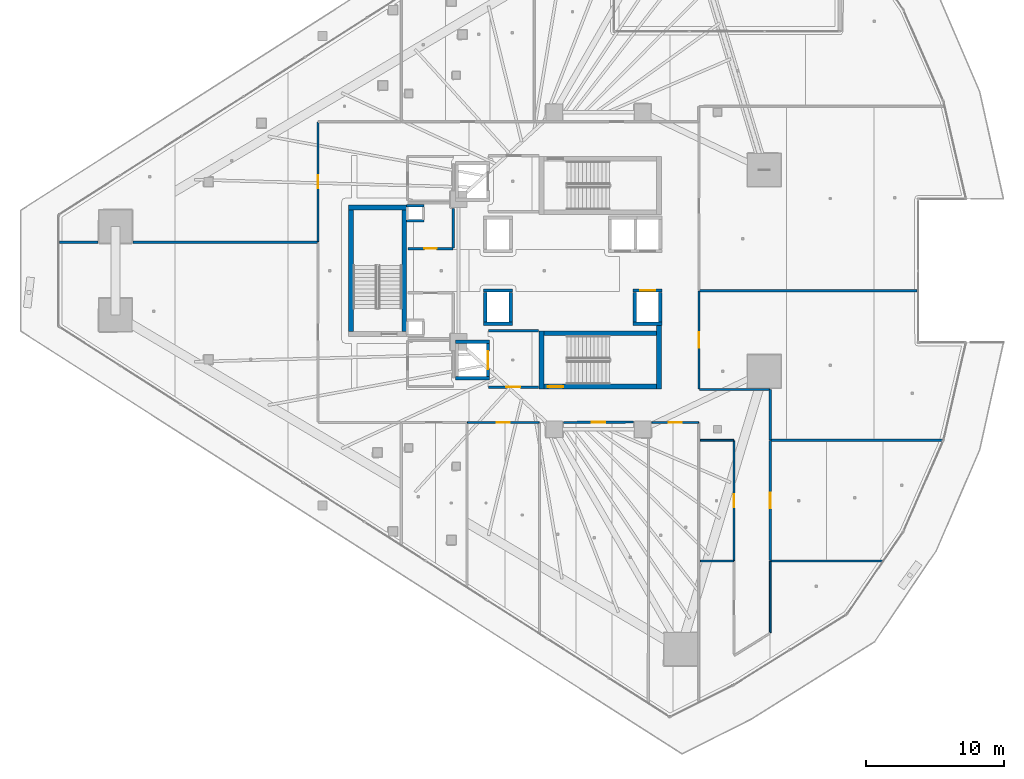
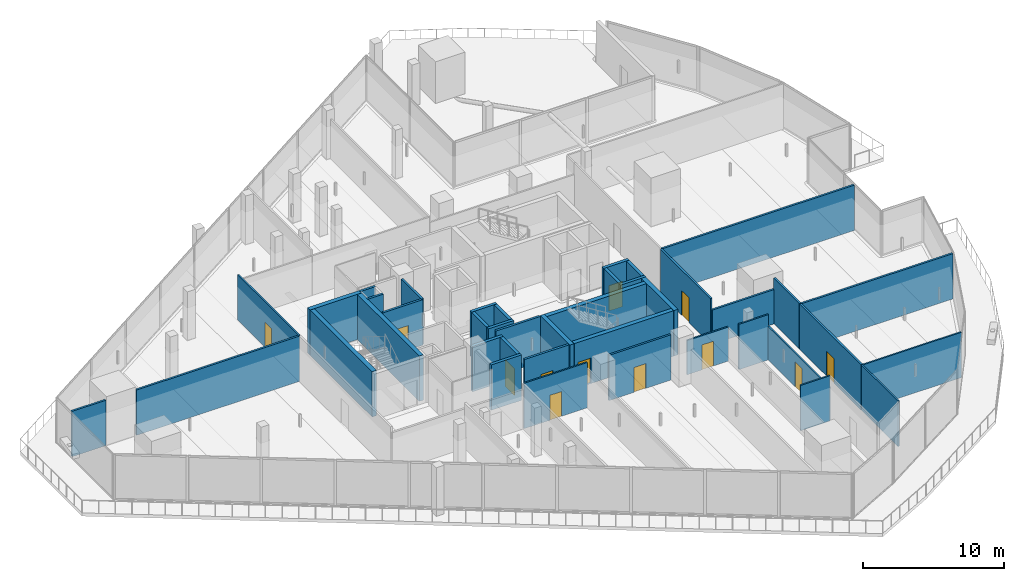
# One storey, part 29 of 44: 41 walls, 12 doors, 12 openings.
"""IFC4 building model written with IfcOpenShell, lengths in metres."""

from ifc_helpers import new_model, si_unit, direction, frame, frame_2d, origin, place, context, subcontext, project, spatial, rectangle, extrude, material, layer, layer_set, type_object, element, fill, save


model = new_model("IFC4")

# Units and contexts
model_context = context("Model", 3, precision=1e-05, world=origin(), true_north=direction((0.0, 1.0)))
body_context = subcontext(model_context, "Body", "Model", "MODEL_VIEW")
ifc_project = project(units=[si_unit("LENGTHUNIT", "METRE"), si_unit("AREAUNIT", "SQUARE_METRE"), si_unit("VOLUMEUNIT", "CUBIC_METRE"), si_unit("PLANEANGLEUNIT", "RADIAN"), si_unit("MASSUNIT", "GRAM", prefix="KILO")], contexts=[model_context])

# Site, building, storey
site_placement = place(None, origin())
site = spatial("IfcSite", under=ifc_project, at=site_placement, CompositionType="ELEMENT")
building_placement = place(site_placement, origin())
building = spatial("IfcBuilding", under=site, at=building_placement, Name="Qorvath Tower", CompositionType="ELEMENT")
storey_placement = place(building_placement, frame((0.0, 0.0, 78.60009765625)))
storey = spatial("IfcBuildingStorey", under=building, at=storey_placement, Name="L17", CompositionType="ELEMENT", Elevation=78.60009765625)

# Walls
ifc_material_1 = material(Name="Gypsum shaftliner on steel studs", Category="steel")
ifc_layer_1 = layer(ifc_material_1, 0.179931640625)
ifc_layer_set_1 = layer_set([ifc_layer_1], Name="FW-LOBBY")
wall_type_1 = type_object("IfcWallType", Name="FW-LOBBY", PredefinedType="PARTITIONING", material=ifc_layer_set_1)
for number, where, z_axis, x_axis, name in (
    (1, (-32.989990234375, 3.594970703125, 0.0), (0.0, 0.0, 1.0), (-1.0, 0.0, 0.0), "MEP Riser Shaft Enclosure Wall N-L17-S"),
    (2, (-34.260009765625, 4.675048828125, 0.0), (0.0, 0.0, 1.0), (1.0, 0.0, 0.0), "MEP Riser Shaft Enclosure Wall N-L17-N"),
):
    element("IfcWall", number, at=place(storey_placement, frame(where, z_axis=z_axis, x_axis=x_axis)), inside=storey, type_object=wall_type_1, Name=name, PredefinedType="PARTITIONING", context=body_context, shape_type="SweptSolid", body=[
        extrude(rectangle(XDim=1.27001953125, YDim=0.179931640625, at=frame_2d((0.635009765625, 0.0))), origin(), (0.0, 0.0, 1.0), 3.919921875),
    ])

# Wall, opening, door
wall_1_placement = place(storey_placement, frame((-28.35498046875, -8.39990234375, 0.0), z_axis=(0.0, 0.0, 1.0), x_axis=(1.0, 0.0, 0.0)))
wall_1 = element("IfcWall", 3, at=wall_1_placement, inside=storey, type_object=wall_type_1, Name="Interior Partition IW-T1-L17-003", PredefinedType="PARTITIONING", context=body_context, shape_type="SweptSolid", body=[
    extrude(rectangle(XDim=3.6220703125, YDim=0.179931640625, at=frame_2d((1.81103515625, 0.0))), origin(), (0.0, 0.0, 1.0), 3.919921875),
])
opening_1_placement = place(wall_1_placement, frame((1.31103515625, 0.0, 0.0)))
opening_1 = element("IfcOpeningElement", 4, at=opening_1_placement, cuts=wall_1, Name="Opening D-T1-L17-19", PredefinedType="OPENING", context=body_context, shape_type="SweptSolid", body=[
    extrude(rectangle(XDim=1.0, YDim=2.14990234375, at=frame_2d((0.5, 1.074951171875))), frame((0.0, 0.10009765625, 0.0), z_axis=(0.0, -1.0, 0.0), x_axis=(1.0, 0.0, 0.0)), (0.0, 0.0, 1.0), 0.199951171875),
])
ifc_material_2 = material(Name="Painted galvanised hollow metal", Category="steel")
door_type_1 = type_object("IfcDoorType", Name="FD-60", OperationType="NOTDEFINED", PredefinedType="DOOR", material=ifc_material_2)
door_1_placement = place(opening_1_placement, origin())
door_1 = element("IfcDoor", 5, at=door_1_placement, inside=storey, type_object=door_type_1, Name="Lobby Fire Service Elevator South Door D-T1-L17-19", OperationType="SINGLE_SWING_LEFT", OverallHeight=2.14990234375, OverallWidth=1.0, PredefinedType="DOOR", context=body_context, shape_type="SweptSolid", body=[
    extrude(rectangle(XDim=1.0, YDim=2.14990234375, at=frame_2d((0.5, 1.074951171875))), frame((0.0, 0.02490234375, 0.0), z_axis=(0.0, -1.0, 0.0), x_axis=(1.0, 0.0, 0.0)), (0.0, 0.0, 1.0), 0.050048828125),
])
fill(opening_1, door_1)

# Wall
wall_2_placement = place(storey_placement, frame((-24.73291015625, -4.35009765625, 0.0), z_axis=(0.0, 0.0, 1.0), x_axis=(-1.0, 0.0, 0.0)))
element("IfcWall", 6, at=wall_2_placement, inside=storey, type_object=wall_type_1, Name="Interior Partition IW-T1-L17-004", PredefinedType="PARTITIONING", context=body_context, shape_type="SweptSolid", body=[
    extrude(rectangle(XDim=3.6220703125, YDim=0.179931640625, at=frame_2d((1.81103515625, 0.0))), origin(), (0.0, 0.0, 1.0), 3.919921875),
])

# Wall, opening, door
wall_3_placement = place(storey_placement, frame((-34.15478515625, 1.60009765625, 0.0), z_axis=(0.0, 0.0, 1.0), x_axis=(1.0, 0.0, 0.0)))
wall_3 = element("IfcWall", 7, at=wall_3_placement, inside=storey, type_object=wall_type_1, Name="Interior Partition IW-T1-L17-013", PredefinedType="PARTITIONING", context=body_context, shape_type="SweptSolid", body=[
    extrude(rectangle(XDim=3.25, YDim=0.179931640625, at=frame_2d((1.625, 0.0))), origin(), (0.0, 0.0, 1.0), 3.919921875),
])
opening_2_placement = place(wall_3_placement, frame((1.18505859375, 0.0, 0.0)))
opening_2 = element("IfcOpeningElement", 8, at=opening_2_placement, cuts=wall_3, Name="Opening D-T1-L17-03", PredefinedType="OPENING", context=body_context, shape_type="SweptSolid", body=[
    extrude(rectangle(XDim=0.8798828125, YDim=2.10009765625, at=frame_2d((0.43994140625, 1.050048828125))), frame((0.0, 0.10009765625, 0.0), z_axis=(0.0, -1.0, 0.0), x_axis=(1.0, 0.0, 0.0)), (0.0, 0.0, 1.0), 0.199951171875),
])
ifc_material_3 = material(Name="Painted galvanised hollow metal", Category="steel")
door_type_2 = type_object("IfcDoorType", Name="FD-60N", OperationType="NOTDEFINED", PredefinedType="DOOR", material=ifc_material_3)
door_2_placement = place(opening_2_placement, origin())
door_2 = element("IfcDoor", 9, at=door_2_placement, inside=storey, type_object=door_type_2, Name="Core cleaner and custodial room L17 Door D-T1-L17-03", OperationType="SINGLE_SWING_LEFT", OverallHeight=2.10009765625, OverallWidth=0.8798828125, PredefinedType="DOOR", context=body_context, shape_type="SweptSolid", body=[
    extrude(rectangle(XDim=0.8798828125, YDim=2.10009765625, at=frame_2d((0.43994140625, 1.050048828125))), frame((0.0, 0.02490234375, 0.0), z_axis=(0.0, -1.0, 0.0), x_axis=(1.0, 0.0, 0.0)), (0.0, 0.0, 1.0), 0.050048828125),
])
fill(opening_2, door_2)

# Wall
wall_4_placement = place(storey_placement, frame((-30.8798828125, 1.625, 0.0), z_axis=(0.0, 0.0, 1.0), x_axis=(0.0, 1.0, 0.0)))
element("IfcWall", 10, at=wall_4_placement, inside=storey, type_object=wall_type_1, Name="Interior Partition IW-T1-L17-014", PredefinedType="PARTITIONING", context=body_context, shape_type="SweptSolid", body=[
    extrude(rectangle(XDim=2.860107421875, YDim=0.179931640625, at=frame_2d((1.43017578125, 0.0))), origin(), (0.0, 0.0, 1.0), 3.919921875),
])

# Wall, opening, door
ifc_material_4 = material(Name="Double acoustic gypsum board on steel studs", Category="steel")
ifc_layer_2 = layer(ifc_material_4, 0.159912109375)
ifc_layer_set_2 = layer_set([ifc_layer_2], Name="IW-ACOUSTIC-160")
wall_type_2 = type_object("IfcWallType", Name="IW-ACOUSTIC-160", PredefinedType="PARTITIONING", material=ifc_layer_set_2)
wall_5_placement = place(storey_placement, frame((-17.864990234375, -10.935302734375, 0.0), z_axis=(0.0, 0.0, 1.0), x_axis=(-0.999990187227, -0.004430061984, 0.0)))
wall_5 = element("IfcWall", 11, at=wall_5_placement, inside=storey, type_object=wall_type_2, Name="Interior Partition IW-T1-L17-030", PredefinedType="PARTITIONING", context=body_context, shape_type="SweptSolid", body=[
    extrude(rectangle(XDim=5.070068359375, YDim=0.159912109375, at=frame_2d((2.53515625, 0.0))), origin(), (0.0, 0.0, 1.0), 3.919921875),
])
opening_3_placement = place(wall_5_placement, frame((2.06005859375, 0.0, 0.0)))
opening_3 = element("IfcOpeningElement", 12, at=opening_3_placement, cuts=wall_5, Name="Opening D-T1-L17-09", PredefinedType="OPENING", context=body_context, shape_type="SweptSolid", body=[
    extrude(rectangle(XDim=0.949951171875, YDim=2.14990234375, at=frame_2d((0.47509765625, 1.074951171875))), frame((0.0, 0.08984375, 0.0), z_axis=(0.0, -1.0, 0.0), x_axis=(1.0, 0.0, 0.0)), (0.0, 0.0, 1.0), 0.179931640625),
])
ifc_material_5 = material(Name="Solid-core American white oak veneer", Category="wood")
door_type_3 = type_object("IfcDoorType", Name="D-01", OperationType="NOTDEFINED", PredefinedType="DOOR", material=ifc_material_5)
door_3_placement = place(opening_3_placement, origin())
door_3 = element("IfcDoor", 13, at=door_3_placement, inside=storey, type_object=door_type_3, Name="L17-05 Staff Wellness Studio Door D-T1-L17-09", OperationType="SINGLE_SWING_LEFT", OverallHeight=2.14990234375, OverallWidth=0.949951171875, PredefinedType="DOOR", context=body_context, shape_type="SweptSolid", body=[
    extrude(rectangle(XDim=0.949951171875, YDim=2.14990234375, at=frame_2d((0.47509765625, 1.074951171875))), frame((0.0, 0.02490234375, 0.0), z_axis=(0.0, -1.0, 0.0), x_axis=(1.0, 0.0, 0.0)), (0.0, 0.0, 1.0), 0.050048828125),
])
fill(opening_3, door_3)

# Wall
wall_6_placement = place(storey_placement, frame((4.4375, -12.249267578125, 0.0), z_axis=(0.0, 0.0, 1.0), x_axis=(-1.0, 0.0, 0.0)))
element("IfcWall", 14, at=wall_6_placement, inside=storey, type_object=wall_type_2, Name="Interior Partition IW-T1-L17-039", PredefinedType="PARTITIONING", context=body_context, shape_type="SweptSolid", body=[
    extrude(rectangle(XDim=12.404296875, YDim=0.159912109375, at=frame_2d((6.2021484375, 0.0))), origin(), (0.0, 0.0, 1.0), 3.919921875),
])

# Wall, opening, door
wall_7_placement = place(storey_placement, frame((-7.991943359375, -12.2744140625, 0.0), z_axis=(0.0, 0.0, 1.0), x_axis=(0.0, -1.0, 0.0)))
wall_7 = element("IfcWall", 15, at=wall_7_placement, inside=storey, type_object=wall_type_2, Name="Interior Partition IW-T1-L17-040", PredefinedType="PARTITIONING", context=body_context, shape_type="SweptSolid", body=[
    extrude(rectangle(XDim=8.658447265625, YDim=0.159912109375, at=frame_2d((4.3291015625, 0.0))), origin(), (0.0, 0.0, 1.0), 3.919921875),
])
opening_4_placement = place(wall_7_placement, frame((3.779296875, 0.0, 0.0)))
opening_4 = element("IfcOpeningElement", 16, at=opening_4_placement, cuts=wall_7, Name="Opening D-T1-L17-12", PredefinedType="OPENING", context=body_context, shape_type="SweptSolid", body=[
    extrude(rectangle(XDim=1.10009765625, YDim=2.14990234375, at=frame_2d((0.550048828125, 1.074951171875))), frame((0.0, 0.08984375, 0.0), z_axis=(0.0, -1.0, 0.0), x_axis=(1.0, 0.0, 0.0)), (0.0, 0.0, 1.0), 0.179931640625),
])
ifc_material_6 = material(Name="Anodised aluminium acoustic framed glass", Category="aluminium")
door_type_4 = type_object("IfcDoorType", Name="D-03", OperationType="NOTDEFINED", PredefinedType="DOOR", material=ifc_material_6)
door_4_placement = place(opening_4_placement, origin())
door_4 = element("IfcDoor", 17, at=door_4_placement, inside=storey, type_object=door_type_4, Name="L17-08 Digital Visualization Suite Door D-T1-L17-12", OperationType="SINGLE_SWING_RIGHT", OverallHeight=2.14990234375, OverallWidth=1.10009765625, PredefinedType="DOOR", context=body_context, shape_type="SweptSolid", body=[
    extrude(rectangle(XDim=1.10009765625, YDim=2.14990234375, at=frame_2d((0.550048828125, 1.074951171875))), frame((0.0, 0.02490234375, 0.0), z_axis=(0.0, -1.0, 0.0), x_axis=(1.0, 0.0, 0.0)), (0.0, 0.0, 1.0), 0.050048828125),
])
fill(opening_4, door_4)

# Wall
wall_8_placement = place(storey_placement, frame((2.61572265625, -1.44140625, 0.0), z_axis=(0.0, 0.0, 1.0), x_axis=(-1.0, 0.0, 0.0)))
element("IfcWall", 18, at=wall_8_placement, inside=storey, type_object=wall_type_2, Name="Interior Partition IW-T1-L17-043", PredefinedType="PARTITIONING", context=body_context, shape_type="SweptSolid", body=[
    extrude(rectangle(XDim=15.73291015625, YDim=0.159912109375, at=frame_2d((7.866455078125, 0.0))), origin(), (0.0, 0.0, 1.0), 3.919921875),
])

# Wall, opening, door
wall_9_placement = place(storey_placement, frame((-13.14208984375, -1.46630859375, 0.0), z_axis=(0.0, 0.0, 1.0), x_axis=(0.0, -1.0, 0.0)))
wall_9 = element("IfcWall", 19, at=wall_9_placement, inside=storey, type_object=wall_type_2, Name="Interior Partition IW-T1-L17-044", PredefinedType="PARTITIONING", context=body_context, shape_type="SweptSolid", body=[
    extrude(rectangle(XDim=7.080810546875, YDim=0.159912109375, at=frame_2d((3.54052734375, 0.0))), origin(), (0.0, 0.0, 1.0), 3.919921875),
])
opening_5_placement = place(wall_9_placement, frame((2.990478515625, 0.0, 0.0)))
opening_5 = element("IfcOpeningElement", 20, at=opening_5_placement, cuts=wall_9, Name="Opening D-T1-L17-14", PredefinedType="OPENING", context=body_context, shape_type="SweptSolid", body=[
    extrude(rectangle(XDim=1.10009765625, YDim=2.14990234375, at=frame_2d((0.550048828125, 1.074951171875))), frame((0.0, 0.08984375, 0.0), z_axis=(0.0, -1.0, 0.0), x_axis=(1.0, 0.0, 0.0)), (0.0, 0.0, 1.0), 0.179931640625),
])
door_5_placement = place(opening_5_placement, origin())
door_5 = element("IfcDoor", 21, at=door_5_placement, inside=storey, type_object=door_type_4, Name="L17-10 Team Project Office Door D-T1-L17-14", OperationType="SINGLE_SWING_RIGHT", OverallHeight=2.14990234375, OverallWidth=1.10009765625, PredefinedType="DOOR", context=body_context, shape_type="SweptSolid", body=[
    extrude(rectangle(XDim=1.10009765625, YDim=2.14990234375, at=frame_2d((0.550048828125, 1.074951171875))), frame((0.0, 0.02490234375, 0.0), z_axis=(0.0, -1.0, 0.0), x_axis=(1.0, 0.0, 0.0)), (0.0, 0.0, 1.0), 0.050048828125),
])
fill(opening_5, door_5)

# Walls
wall_10_placement = place(storey_placement, frame((-13.1171875, -8.572021484375, 0.0), z_axis=(0.0, 0.0, 1.0), x_axis=(1.0, 0.0, 0.0)))
element("IfcWall", 22, at=wall_10_placement, inside=storey, type_object=wall_type_2, Name="Interior Partition IW-T1-L17-045", PredefinedType="PARTITIONING", context=body_context, shape_type="SweptSolid", body=[
    extrude(rectangle(XDim=5.100341796875, YDim=0.159912109375, at=frame_2d((2.55029296875, 0.0))), origin(), (0.0, 0.0, 1.0), 2.956787109375),
])
wall_11_placement = place(storey_placement, frame((-7.991943359375, -8.596923828125, 0.0), z_axis=(0.0, 0.0, 1.0), x_axis=(0.0, -1.0, 0.0)))
element("IfcWall", 23, at=wall_11_placement, inside=storey, type_object=wall_type_2, Name="Interior Partition IW-T1-L17-046", PredefinedType="PARTITIONING", context=body_context, shape_type="SweptSolid", body=[
    extrude(rectangle(XDim=3.619384765625, YDim=0.159912109375, at=frame_2d((1.8095703125, 0.0))), origin(), (0.0, 0.0, 1.0), 3.919921875),
])
wall_12_placement = place(storey_placement, frame((-40.68310546875, 2.06201171875, 0.0), z_axis=(0.0, 0.0, 1.0), x_axis=(-1.0, 0.0, 0.0)))
element("IfcWall", 24, at=wall_12_placement, inside=storey, type_object=wall_type_2, Name="Interior Partition IW-T1-L17-050", PredefinedType="PARTITIONING", context=body_context, shape_type="SweptSolid", body=[
    extrude(rectangle(XDim=13.334716796875, YDim=0.159912109375, at=frame_2d((6.66748046875, 0.0))), origin(), (0.0, 0.0, 1.0), 3.919921875),
])
wall_13_placement = place(storey_placement, frame((-56.5478515625, 2.06201171875, 0.0), z_axis=(0.0, 0.0, 1.0), x_axis=(-1.0, 0.0, 0.0)))
element("IfcWall", 25, at=wall_13_placement, inside=storey, type_object=wall_type_2, Name="Interior Partition IW-T1-L17-051", PredefinedType="PARTITIONING", context=body_context, shape_type="SweptSolid", body=[
    extrude(rectangle(XDim=2.767822265625, YDim=0.159912109375, at=frame_2d((1.3837890625, 0.0))), origin(), (0.0, 0.0, 1.0), 3.919921875),
])

# Wall, opening, door
ifc_material_7 = material(Name="Gypsum board on metal studs with mineral wool", Category="gypsum")
ifc_layer_3 = layer(ifc_material_7, 0.125)
ifc_layer_set_3 = layer_set([ifc_layer_3], Name="IW-PART-125")
wall_type_3 = type_object("IfcWallType", Name="IW-PART-125", PredefinedType="PARTITIONING", material=ifc_layer_set_3)
wall_14_placement = place(storey_placement, frame((-24.691650390625, -10.9580078125, 0.0), z_axis=(0.0, 0.0, 1.0), x_axis=(-1.0, 0.0, 0.0)))
wall_14 = element("IfcWall", 26, at=wall_14_placement, inside=storey, type_object=wall_type_3, Name="Interior Partition IW-T1-L17-029", PredefinedType="PARTITIONING", context=body_context, shape_type="SweptSolid", body=[
    extrude(rectangle(XDim=5.171630859375, YDim=0.125, at=frame_2d((2.5859375, 0.0))), origin(), (0.0, 0.0, 1.0), 3.919921875),
])
opening_6_placement = place(wall_14_placement, frame((2.11083984375, 0.0, 0.0)))
opening_6 = element("IfcOpeningElement", 27, at=opening_6_placement, cuts=wall_14, Name="Opening D-T1-L17-08", PredefinedType="OPENING", context=body_context, shape_type="SweptSolid", body=[
    extrude(rectangle(XDim=0.949951171875, YDim=2.14990234375, at=frame_2d((0.47509765625, 1.074951171875))), frame((0.0, 0.072509765625, 0.0), z_axis=(0.0, -1.0, 0.0), x_axis=(1.0, 0.0, 0.0)), (0.0, 0.0, 1.0), 0.14501953125),
])
door_6_placement = place(opening_6_placement, origin())
door_6 = element("IfcDoor", 28, at=door_6_placement, inside=storey, type_object=door_type_3, Name="L17-04 Project Collaboration Workspace Door D-T1-L17-08", OperationType="SINGLE_SWING_RIGHT", OverallHeight=2.14990234375, OverallWidth=0.949951171875, PredefinedType="DOOR", context=body_context, shape_type="SweptSolid", body=[
    extrude(rectangle(XDim=0.949951171875, YDim=2.14990234375, at=frame_2d((0.47509765625, 1.074951171875))), frame((0.0, 0.02490234375, 0.0), z_axis=(0.0, -1.0, 0.0), x_axis=(1.0, 0.0, 0.0)), (0.0, 0.0, 1.0), 0.050048828125),
])
fill(opening_6, door_6)

wall_15_placement = place(storey_placement, frame((-13.1748046875, -10.9580078125, 0.0), z_axis=(0.0, 0.0, 1.0), x_axis=(-1.0, 0.0, 0.0)))
wall_15 = element("IfcWall", 29, at=wall_15_placement, inside=storey, type_object=wall_type_3, Name="Interior Partition IW-T1-L17-033", PredefinedType="PARTITIONING", context=body_context, shape_type="SweptSolid", body=[
    extrude(rectangle(XDim=3.360107421875, YDim=0.125, at=frame_2d((1.68017578125, 0.0))), origin(), (0.0, 0.0, 1.0), 2.956787109375),
])
opening_7_placement = place(wall_15_placement, frame((1.205078125, 0.0, 0.0)))
opening_7 = element("IfcOpeningElement", 30, at=opening_7_placement, cuts=wall_15, Name="Opening D-T1-L17-10", PredefinedType="OPENING", context=body_context, shape_type="SweptSolid", body=[
    extrude(rectangle(XDim=0.949951171875, YDim=2.14990234375, at=frame_2d((0.47509765625, 1.074951171875))), frame((0.0, 0.072509765625, 0.0), z_axis=(0.0, -1.0, 0.0), x_axis=(1.0, 0.0, 0.0)), (0.0, 0.0, 1.0), 0.14501953125),
])
door_7_placement = place(opening_7_placement, origin())
door_7 = element("IfcDoor", 31, at=door_7_placement, inside=storey, type_object=door_type_3, Name="L17-06 Executive Partner Office Door D-T1-L17-10", OperationType="SINGLE_SWING_RIGHT", OverallHeight=2.14990234375, OverallWidth=0.949951171875, PredefinedType="DOOR", context=body_context, shape_type="SweptSolid", body=[
    extrude(rectangle(XDim=0.949951171875, YDim=2.14990234375, at=frame_2d((0.47509765625, 1.074951171875))), frame((0.0, 0.02490234375, 0.0), z_axis=(0.0, -1.0, 0.0), x_axis=(1.0, 0.0, 0.0)), (0.0, 0.0, 1.0), 0.050048828125),
])
fill(opening_7, door_7)

# Walls
wall_16_placement = place(storey_placement, frame((0.101318359375, -20.965576171875, 0.0), z_axis=(0.0, 0.0, 1.0), x_axis=(-1.0, 0.0, 0.0)))
element("IfcWall", 32, at=wall_16_placement, inside=storey, type_object=wall_type_3, Name="Interior Partition IW-T1-L17-034", PredefinedType="PARTITIONING", context=body_context, shape_type="SweptSolid", body=[
    extrude(rectangle(XDim=8.068115234375, YDim=0.125, at=frame_2d((4.0341796875, 0.0))), origin(), (0.0, 0.0, 1.0), 3.919921875),
])
wall_17_placement = place(storey_placement, frame((-7.991943359375, -26.146484375, 0.0), z_axis=(0.0, 0.0, 1.0), x_axis=(0.0, 1.0, 0.0)))
element("IfcWall", 33, at=wall_17_placement, inside=storey, type_object=wall_type_3, Name="Interior Partition IW-T1-L17-035", PredefinedType="PARTITIONING", context=body_context, shape_type="SweptSolid", body=[
    extrude(rectangle(XDim=5.156005859375, YDim=0.125, at=frame_2d((2.578125, 0.0))), origin(), (0.0, 0.0, 1.0), 3.919921875),
])
wall_18_placement = place(storey_placement, frame((-10.6328125, -20.965576171875, 0.0), z_axis=(0.0, 0.0, 1.0), x_axis=(-1.0, 0.0, 0.0)))
element("IfcWall", 34, at=wall_18_placement, inside=storey, type_object=wall_type_3, Name="Interior Partition IW-T1-L17-038", PredefinedType="PARTITIONING", context=body_context, shape_type="SweptSolid", body=[
    extrude(rectangle(XDim=2.406982421875, YDim=0.125, at=frame_2d((1.20361328125, 0.0))), origin(), (0.0, 0.0, 1.0), 3.919921875),
])

# Wall, opening, door
wall_19_placement = place(storey_placement, frame((-10.60791015625, -20.932861328125, 0.0), z_axis=(0.0, 0.0, 1.0), x_axis=(0.0, 1.0, 0.0)))
wall_19 = element("IfcWall", 35, at=wall_19_placement, inside=storey, type_object=wall_type_3, Name="Interior Partition IW-T1-L17-041", PredefinedType="PARTITIONING", context=body_context, shape_type="SweptSolid", body=[
    extrude(rectangle(XDim=8.658447265625, YDim=0.125, at=frame_2d((4.3291015625, 0.0))), origin(), (0.0, 0.0, 1.0), 2.889892578125),
])
opening_8_placement = place(wall_19_placement, frame((3.854248046875, 0.0, 0.0)))
opening_8 = element("IfcOpeningElement", 36, at=opening_8_placement, cuts=wall_19, Name="Opening D-T1-L17-13", PredefinedType="OPENING", context=body_context, shape_type="SweptSolid", body=[
    extrude(rectangle(XDim=0.949951171875, YDim=2.14990234375, at=frame_2d((0.47509765625, 1.074951171875))), frame((0.0, 0.072509765625, 0.0), z_axis=(0.0, -1.0, 0.0), x_axis=(1.0, 0.0, 0.0)), (0.0, 0.0, 1.0), 0.14501953125),
])
door_8_placement = place(opening_8_placement, origin())
door_8 = element("IfcDoor", 37, at=door_8_placement, inside=storey, type_object=door_type_3, Name="L17-09 Quantitative Research Studio Door D-T1-L17-13", OperationType="SINGLE_SWING_LEFT", OverallHeight=2.14990234375, OverallWidth=0.949951171875, PredefinedType="DOOR", context=body_context, shape_type="SweptSolid", body=[
    extrude(rectangle(XDim=0.949951171875, YDim=2.14990234375, at=frame_2d((0.47509765625, 1.074951171875))), frame((0.0, 0.02490234375, 0.0), z_axis=(0.0, -1.0, 0.0), x_axis=(1.0, 0.0, 0.0)), (0.0, 0.0, 1.0), 0.050048828125),
])
fill(opening_8, door_8)

# Wall
wall_20_placement = place(storey_placement, frame((-10.6328125, -12.249267578125, 0.0), z_axis=(0.0, 0.0, 1.0), x_axis=(-1.0, 0.0, 0.0)))
element("IfcWall", 38, at=wall_20_placement, inside=storey, type_object=wall_type_3, Name="Interior Partition IW-T1-L17-042", PredefinedType="PARTITIONING", context=body_context, shape_type="SweptSolid", body=[
    extrude(rectangle(XDim=2.406982421875, YDim=0.125, at=frame_2d((1.20361328125, 0.0))), origin(), (0.0, 0.0, 1.0), 3.919921875),
])

# Wall, opening, door
wall_21_placement = place(storey_placement, frame((-40.657958984375, 2.09521484375, 0.0), z_axis=(0.0, 0.0, 1.0), x_axis=(0.0, 1.0, 0.0)))
wall_21 = element("IfcWall", 39, at=wall_21_placement, inside=storey, type_object=wall_type_3, Name="Interior Partition IW-T1-L17-052", PredefinedType="PARTITIONING", context=body_context, shape_type="SweptSolid", body=[
    extrude(rectangle(XDim=8.637939453125, YDim=0.125, at=frame_2d((4.31884765625, 0.0))), origin(), (0.0, 0.0, 1.0), 3.919921875),
])
opening_9_placement = place(wall_21_placement, frame((3.843994140625, 0.0, 0.0)))
opening_9 = element("IfcOpeningElement", 40, at=opening_9_placement, cuts=wall_21, Name="Opening D-T1-L17-17", PredefinedType="OPENING", context=body_context, shape_type="SweptSolid", body=[
    extrude(rectangle(XDim=0.949951171875, YDim=2.14990234375, at=frame_2d((0.47509765625, 1.074951171875))), frame((0.0, 0.072509765625, 0.0), z_axis=(0.0, -1.0, 0.0), x_axis=(1.0, 0.0, 0.0)), (0.0, 0.0, 1.0), 0.14501953125),
])
door_9_placement = place(opening_9_placement, origin())
door_9 = element("IfcDoor", 41, at=door_9_placement, inside=storey, type_object=door_type_3, Name="L17-13 Focus Collaboration Pod Door D-T1-L17-17", OperationType="SINGLE_SWING_LEFT", OverallHeight=2.14990234375, OverallWidth=0.949951171875, PredefinedType="DOOR", context=body_context, shape_type="SweptSolid", body=[
    extrude(rectangle(XDim=0.949951171875, YDim=2.14990234375, at=frame_2d((0.47509765625, 1.074951171875))), frame((0.0, 0.02490234375, 0.0), z_axis=(0.0, -1.0, 0.0), x_axis=(1.0, 0.0, 0.0)), (0.0, 0.0, 1.0), 0.050048828125),
])
fill(opening_9, door_9)

# Walls
ifc_material_8 = material(Name="Concrete C60/75", Category="concrete")
ifc_layer_4 = layer(ifc_material_8, 0.260009765625)
ifc_layer_set_4 = layer_set([ifc_layer_4], Name="SW-SHAFT")
wall_type_4 = type_object("IfcWallType", Name="SW-SHAFT", PredefinedType="SHEAR", material=ifc_layer_set_4)
for number, where, z_axis, x_axis, name in (
    (42, (-28.260009765625, -7.77001953125, 0.0), (0.0, 0.0, 1.0), (-1.0, 0.0, 0.0), "Hoistway Wall FSAE-2 L17 S"),
    (43, (-30.739990234375, -5.1298828125, 0.0), (0.0, 0.0, 1.0), (1.0, 0.0, 0.0), "Hoistway Wall FSAE-2 L17 N"),
):
    element("IfcWall", number, at=place(storey_placement, frame(where, z_axis=z_axis, x_axis=x_axis)), inside=storey, type_object=wall_type_4, Name=name, PredefinedType="SHEAR", context=body_context, shape_type="SweptSolid", body=[
        extrude(rectangle(XDim=2.47998046875, YDim=0.239990234375, at=frame_2d((1.239990234375, 0.0))), origin(), (0.0, 0.0, 1.0), 3.919921875),
    ])

# Wall, opening, door
wall_22_placement = place(storey_placement, frame((-28.3798828125, -5.261962890625, 0.0), z_axis=(0.0, 0.0, 1.0), x_axis=(0.0, -1.0, 0.0)))
wall_22 = element("IfcWall", 44, at=wall_22_placement, inside=storey, type_object=wall_type_4, Name="Hoistway Wall FSAE-2 L17 E", PredefinedType="SHEAR", context=body_context, shape_type="SweptSolid", body=[
    extrude(rectangle(XDim=2.3759765625, YDim=0.239990234375, at=frame_2d((1.18798828125, 0.0))), origin(), (0.0, 0.0, 1.0), 3.919921875),
])
opening_10_placement = place(wall_22_placement, frame((0.5380859375, 0.0, 0.0)))
opening_10 = element("IfcOpeningElement", 45, at=opening_10_placement, cuts=wall_22, Name="Opening LD-FSAE-2-L17", PredefinedType="OPENING", context=body_context, shape_type="SweptSolid", body=[
    extrude(rectangle(XDim=1.300048828125, YDim=2.300048828125, at=frame_2d((0.64990234375, 1.14990234375))), frame((0.0, 0.1298828125, 0.0), z_axis=(0.0, -1.0, 0.0), x_axis=(1.0, 0.0, 0.0)), (0.0, 0.0, 1.0), 0.260009765625),
])
ifc_material_9 = material(Name="Brushed stainless steel AISI 316", Category="steel")
door_type_5 = type_object("IfcDoorType", Name="LD-02", OperationType="NOTDEFINED", PredefinedType="DOOR", material=ifc_material_9)
door_10_placement = place(opening_10_placement, origin())
door_10 = element("IfcDoor", 46, at=door_10_placement, inside=storey, type_object=door_type_5, Name="Elevator Landing Sliding Door LD-FSAE-2-L17", OperationType="DOUBLE_DOOR_SLIDING", OverallHeight=2.300048828125, OverallWidth=1.300048828125, PredefinedType="DOOR", context=body_context, shape_type="SweptSolid", body=[
    extrude(rectangle(XDim=1.300048828125, YDim=2.300048828125, at=frame_2d((0.64990234375, 1.14990234375))), frame((0.0, 0.02490234375, 0.0), z_axis=(0.0, -1.0, 0.0), x_axis=(1.0, 0.0, 0.0)), (0.0, 0.0, 1.0), 0.050048828125),
])
fill(opening_10, door_10)

# Walls
for number, where, z_axis, x_axis, name in (
    (47, (-26.610107421875, -3.820068359375, 0.0), (0.0, 0.0, 1.0), (-1.0, 0.0, 0.0), "Hoistway Wall PS-2 L17 S"),
    (48, (-28.68994140625, -1.429931640625, 0.0), (0.0, 0.0, 1.0), (1.0, 0.0, 0.0), "Hoistway Wall PS-2 L17 N"),
):
    element("IfcWall", number, at=place(storey_placement, frame(where, z_axis=z_axis, x_axis=x_axis)), inside=storey, type_object=wall_type_4, Name=name, PredefinedType="SHEAR", context=body_context, shape_type="SweptSolid", body=[
        extrude(rectangle(XDim=2.079833984375, YDim=0.239990234375, at=frame_2d((1.0400390625, 0.0))), origin(), (0.0, 0.0, 1.0), 3.919921875),
    ])
for number, where, z_axis, x_axis, name in (
    (49, (-28.570068359375, -3.68798828125, 0.0), (0.0, 0.0, 1.0), (0.0, 1.0, 0.0), "Hoistway Wall PS-2 L17 W"),
    (50, (-26.72998046875, -1.56201171875, 0.0), (0.0, 0.0, 1.0), (0.0, -1.0, 0.0), "Hoistway Wall PS-2 L17 E"),
):
    element("IfcWall", number, at=place(storey_placement, frame(where, z_axis=z_axis, x_axis=x_axis)), inside=storey, type_object=wall_type_4, Name=name, PredefinedType="SHEAR", context=body_context, shape_type="SweptSolid", body=[
        extrude(rectangle(XDim=2.1259765625, YDim=0.239990234375, at=frame_2d((1.06298828125, 0.0))), origin(), (0.0, 0.0, 1.0), 3.919921875),
    ])
wall_23_placement = place(storey_placement, frame((-15.81005859375, -3.820068359375, 0.0), z_axis=(0.0, 0.0, 1.0), x_axis=(-1.0, 0.0, 0.0)))
element("IfcWall", 51, at=wall_23_placement, inside=storey, type_object=wall_type_4, Name="Hoistway Wall PL-2 L17 S", PredefinedType="SHEAR", context=body_context, shape_type="SweptSolid", body=[
    extrude(rectangle(XDim=2.079833984375, YDim=0.239990234375, at=frame_2d((1.0400390625, 0.0))), origin(), (0.0, 0.0, 1.0), 3.919921875),
])

# Wall, opening, door
wall_24_placement = place(storey_placement, frame((-17.889892578125, -1.429931640625, 0.0), z_axis=(0.0, 0.0, 1.0), x_axis=(1.0, 0.0, 0.0)))
wall_24 = element("IfcWall", 52, at=wall_24_placement, inside=storey, type_object=wall_type_4, Name="Hoistway Wall PL-2 L17 N", PredefinedType="SHEAR", context=body_context, shape_type="SweptSolid", body=[
    extrude(rectangle(XDim=2.079833984375, YDim=0.239990234375, at=frame_2d((1.0400390625, 0.0))), origin(), (0.0, 0.0, 1.0), 3.919921875),
])
opening_11_placement = place(wall_24_placement, frame((0.48974609375, 0.0, 0.0)))
opening_11 = element("IfcOpeningElement", 53, at=opening_11_placement, cuts=wall_24, Name="Opening LD-PL-2-L17", PredefinedType="OPENING", context=body_context, shape_type="SweptSolid", body=[
    extrude(rectangle(XDim=1.10009765625, YDim=2.199951171875, at=frame_2d((0.550048828125, 1.10009765625))), frame((0.0, 0.1298828125, 0.0), z_axis=(0.0, -1.0, 0.0), x_axis=(1.0, 0.0, 0.0)), (0.0, 0.0, 1.0), 0.260009765625),
])
ifc_material_10 = material(Name="Brushed stainless steel AISI 316", Category="steel")
door_type_6 = type_object("IfcDoorType", Name="LD-01", OperationType="NOTDEFINED", PredefinedType="DOOR", material=ifc_material_10)
door_11_placement = place(opening_11_placement, origin())
door_11 = element("IfcDoor", 54, at=door_11_placement, inside=storey, type_object=door_type_6, Name="Elevator Landing Sliding Door LD-PL-2-L17", OperationType="DOUBLE_DOOR_SLIDING", OverallHeight=2.199951171875, OverallWidth=1.10009765625, PredefinedType="DOOR", context=body_context, shape_type="SweptSolid", body=[
    extrude(rectangle(XDim=1.10009765625, YDim=2.199951171875, at=frame_2d((0.550048828125, 1.10009765625))), frame((0.0, 0.02490234375, 0.0), z_axis=(0.0, -1.0, 0.0), x_axis=(1.0, 0.0, 0.0)), (0.0, 0.0, 1.0), 0.050048828125),
])
fill(opening_11, door_11)

# Walls
for number, where, z_axis, x_axis, name in (
    (55, (-17.77001953125, -3.68798828125, 0.0), (0.0, 0.0, 1.0), (0.0, 1.0, 0.0), "Hoistway Wall PL-2 L17 W"),
    (56, (-15.929931640625, -1.56201171875, 0.0), (0.0, 0.0, 1.0), (0.0, -1.0, 0.0), "Hoistway Wall PL-2 L17 E"),
):
    element("IfcWall", number, at=place(storey_placement, frame(where, z_axis=z_axis, x_axis=x_axis)), inside=storey, type_object=wall_type_4, Name=name, PredefinedType="SHEAR", context=body_context, shape_type="SweptSolid", body=[
        extrude(rectangle(XDim=2.1259765625, YDim=0.239990234375, at=frame_2d((1.06298828125, 0.0))), origin(), (0.0, 0.0, 1.0), 3.919921875),
    ])
ifc_material_11 = material(Name="Concrete C60/75", Category="concrete")
ifc_layer_5 = layer(ifc_material_11, 0.35009765625)
ifc_layer_set_5 = layer_set([ifc_layer_5], Name="SW-STAIR")
wall_type_5 = type_object("IfcWallType", Name="SW-STAIR", PredefinedType="SHEAR", material=ifc_layer_set_5)
wall_25_placement = place(storey_placement, frame((-24.52490234375, -4.340087890625, 0.0), z_axis=(0.0, 0.0, 1.0), x_axis=(0.0, -1.0, 0.0)))
element("IfcWall", 57, at=wall_25_placement, inside=storey, type_object=wall_type_5, Name="Stair TS2 Shear Wall L17 NEAR", PredefinedType="SHEAR", context=body_context, shape_type="SweptSolid", body=[
    extrude(rectangle(XDim=4.2099609375, YDim=0.35009765625, at=frame_2d((2.10498046875, 0.0))), origin(), (0.0, 0.0, 1.0), 3.919921875),
])
wall_26_placement = place(storey_placement, frame((-16.02490234375, -8.550048828125, 0.0), z_axis=(0.0, 0.0, 1.0), x_axis=(0.0, 1.0, 0.0)))
element("IfcWall", 58, at=wall_26_placement, inside=storey, type_object=wall_type_5, Name="Stair TS2 Shear Wall L17 FAR", PredefinedType="SHEAR", context=body_context, shape_type="SweptSolid", body=[
    extrude(rectangle(XDim=4.610107421875, YDim=0.35009765625, at=frame_2d((2.30517578125, 0.0))), origin(), (0.0, 0.0, 1.0), 3.919921875),
])

# Wall, opening, door
wall_27_placement = place(storey_placement, frame((-24.3349609375, -8.375, 0.0), z_axis=(0.0, 0.0, 1.0), x_axis=(1.0, 0.0, 0.0)))
wall_27 = element("IfcWall", 59, at=wall_27_placement, inside=storey, type_object=wall_type_5, Name="Stair TS2 Shear Wall L17 LEFT", PredefinedType="SHEAR", context=body_context, shape_type="SweptSolid", body=[
    extrude(rectangle(XDim=8.119873046875, YDim=0.35009765625, at=frame_2d((4.06005859375, 0.0))), origin(), (0.0, 0.0, 1.0), 3.919921875),
])
opening_12_placement = place(wall_27_placement, frame((0.280029296875, 0.0, 0.0)))
opening_12 = element("IfcOpeningElement", 60, at=opening_12_placement, cuts=wall_27, Name="Opening D-TS2-L17", PredefinedType="OPENING", context=body_context, shape_type="SweptSolid", body=[
    extrude(rectangle(XDim=1.10009765625, YDim=2.199951171875, at=frame_2d((0.550048828125, 1.10009765625))), frame((0.0, 0.18505859375, 0.0), z_axis=(0.0, -1.0, 0.0), x_axis=(1.0, 0.0, 0.0)), (0.0, 0.0, 1.0), 0.3701171875),
])
ifc_material_12 = material(Name="Painted galvanised hollow metal", Category="steel")
door_type_7 = type_object("IfcDoorType", Name="FD-90", OperationType="NOTDEFINED", PredefinedType="DOOR", material=ifc_material_12)
door_12_placement = place(opening_12_placement, origin())
door_12 = element("IfcDoor", 61, at=door_12_placement, inside=storey, type_object=door_type_7, Name="Stair TS2 Fire Door L17", OperationType="SINGLE_SWING_RIGHT", OverallHeight=2.199951171875, OverallWidth=1.10009765625, PredefinedType="DOOR", context=body_context, shape_type="SweptSolid", body=[
    extrude(rectangle(XDim=1.10009765625, YDim=2.199951171875, at=frame_2d((0.550048828125, 1.10009765625))), frame((0.0, 0.02490234375, 0.0), z_axis=(0.0, -1.0, 0.0), x_axis=(1.0, 0.0, 0.0)), (0.0, 0.0, 1.0), 0.050048828125),
])
fill(opening_12, door_12)

# Walls
wall_28_placement = place(storey_placement, frame((-16.215087890625, -4.514892578125, 0.0), z_axis=(0.0, 0.0, 1.0), x_axis=(-1.0, 0.0, 0.0)))
element("IfcWall", 62, at=wall_28_placement, inside=storey, type_object=wall_type_5, Name="Stair TS2 Shear Wall L17 RIGHT", PredefinedType="SHEAR", context=body_context, shape_type="SweptSolid", body=[
    extrude(rectangle(XDim=8.119873046875, YDim=0.35009765625, at=frame_2d((4.06005859375, 0.0))), origin(), (0.0, 0.0, 1.0), 3.919921875),
])
wall_29_placement = place(storey_placement, frame((-34.25, 4.574951171875, 0.0), z_axis=(0.0, 0.0, 1.0), x_axis=(-1.0, 0.0, 0.0)))
element("IfcWall", 63, at=wall_29_placement, inside=storey, type_object=wall_type_5, Name="Stair TS3 Shear Wall L17 FAR", PredefinedType="SHEAR", context=body_context, shape_type="SweptSolid", body=[
    extrude(rectangle(XDim=4.2099609375, YDim=0.35009765625, at=frame_2d((2.10498046875, 0.0))), origin(), (0.0, 0.0, 1.0), 3.919921875),
])
for number, where, z_axis, x_axis, name in (
    (64, (-34.425048828125, -4.385009765625, 0.0), (0.0, 0.0, 1.0), (0.0, 1.0, 0.0), "Stair TS3 Shear Wall L17 LEFT"),
    (65, (-38.284912109375, 4.385009765625, 0.0), (0.0, 0.0, 1.0), (0.0, -1.0, 0.0), "Stair TS3 Shear Wall L17 RIGHT"),
):
    element("IfcWall", number, at=place(storey_placement, frame(where, z_axis=z_axis, x_axis=x_axis)), inside=storey, type_object=wall_type_5, Name=name, PredefinedType="SHEAR", context=body_context, shape_type="SweptSolid", body=[
        extrude(rectangle(XDim=8.77001953125, YDim=0.35009765625, at=frame_2d((4.385009765625, 0.0))), origin(), (0.0, 0.0, 1.0), 3.919921875),
    ])

save(model, "model.ifc")
